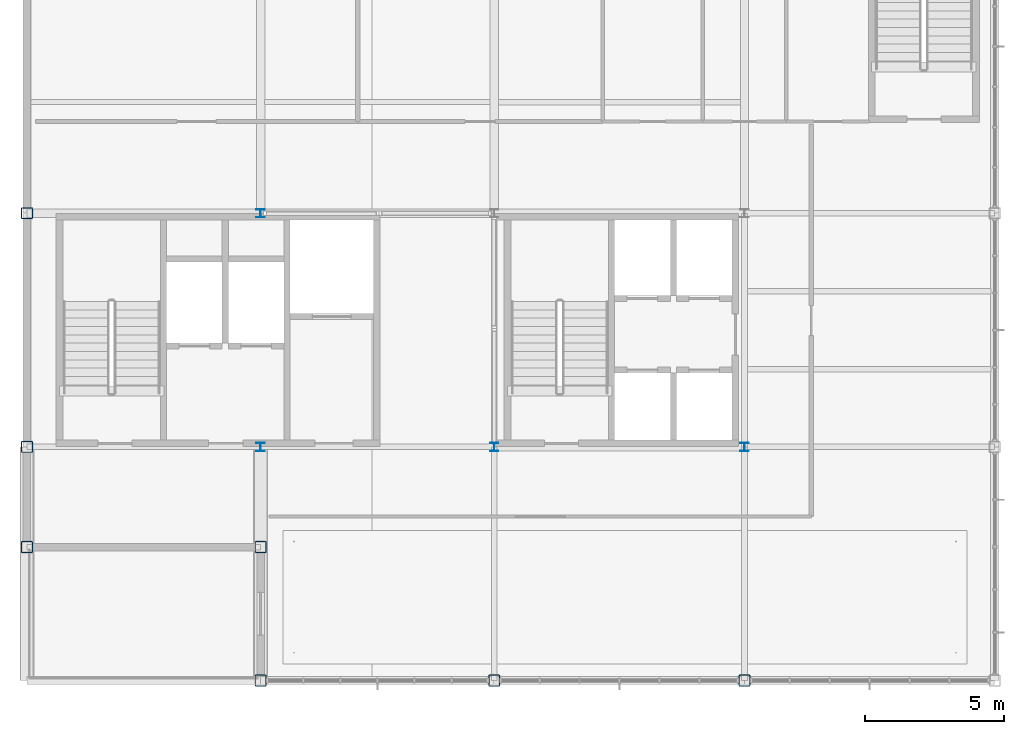
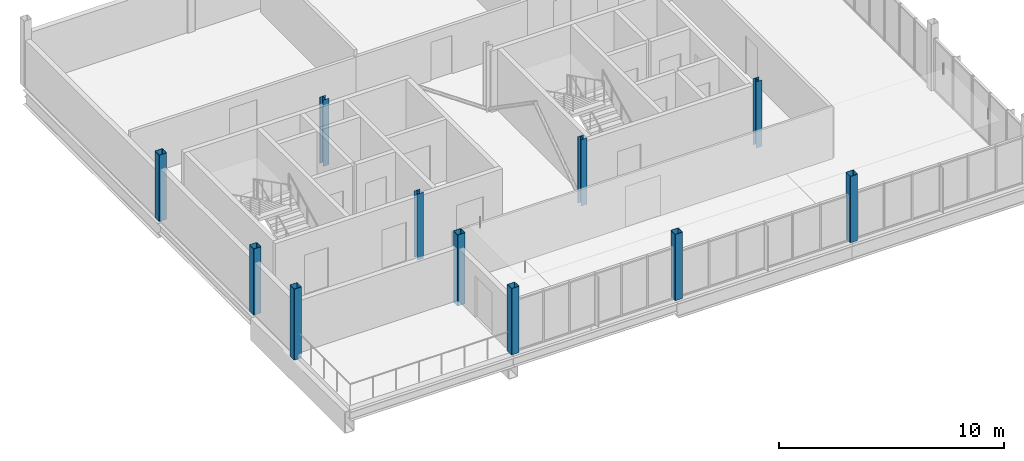
# One storey, part 1 of 17: 11 columns.
"""IFC4 building model written with IfcOpenShell, lengths in metres."""

from ifc_helpers import new_model, si_unit, direction, frame, origin, origin_2d, place, context, subcontext, project, spatial, hollow_rectangle, i_section, extrude, material, material_profile, profile_set, type_object, element, save


model = new_model("IFC4")

# Units and contexts
model_context = context("Model", 3, precision=1e-05, world=origin(), true_north=direction((0.0, 1.0)))
body_context = subcontext(model_context, "Body", "Model", "MODEL_VIEW")
ifc_project = project(units=[si_unit("LENGTHUNIT", "METRE"), si_unit("AREAUNIT", "SQUARE_METRE"), si_unit("VOLUMEUNIT", "CUBIC_METRE"), si_unit("PLANEANGLEUNIT", "RADIAN"), si_unit("MASSUNIT", "GRAM", prefix="KILO")], contexts=[model_context])

# Site, building, storey
site_placement = place(None, origin())
site = spatial("IfcSite", under=ifc_project, at=site_placement, CompositionType="ELEMENT")
building_placement = place(site_placement, origin())
building = spatial("IfcBuilding", under=site, at=building_placement, Name="Yukiwa Park Conservatory and Herbarium", CompositionType="ELEMENT")
storey_placement = place(building_placement, frame((0.0, 0.0, 57.60009765625)))
storey = spatial("IfcBuildingStorey", under=building, at=storey_placement, Name="L15", CompositionType="ELEMENT", Elevation=57.60009765625)

# Columns
ifc_material_1 = material(Name="Steel Q355D", Category="steel")
ifc_material_profile_1 = material_profile(ifc_material_1, hollow_rectangle(XDim=0.39990234375, YDim=0.39990234375, WallThickness=0.01611328125, InnerFilletRadius=0.01611328125, OuterFilletRadius=0.031982421875, at=origin_2d()), Name="BOX 400x400x16")
ifc_profile_set_1 = profile_set([ifc_material_profile_1], Name="Steel Q355D")
column_type_1 = type_object("IfcColumnType", Name="COL-TW-BOX400-EXT", PredefinedType="COLUMN", material=ifc_profile_set_1)
column_1_placement = place(storey_placement, frame((133.199951171875, 91.199951171875, -0.256103515625), z_axis=(0.0, 0.0, 1.0), x_axis=(1.0, 0.0, 0.0)))
element("IfcColumn", 1, at=column_1_placement, inside=storey, type_object=column_type_1, Name="L15 column V5-X1332-Y912", PredefinedType="COLUMN", context=body_context, shape_type="SweptSolid", body=[
    extrude(hollow_rectangle(XDim=0.39990234375, YDim=0.39990234375, WallThickness=0.01611328125, InnerFilletRadius=0.01611328125, OuterFilletRadius=0.031982421875, at=origin_2d()), origin(), (0.0, 0.0, 1.0), 3.85595703125),
])
for number, where, z_axis, x_axis, name in (
    (2, (133.199951171875, 94.800048828125, 0.0), (0.0, 0.0, 1.0), (1.0, 0.0, 0.0), "L15 column V5-X1332-Y948"),
    (3, (133.199951171875, 103.199951171875, 0.0), (0.0, 0.0, 1.0), (1.0, 0.0, 0.0), "L15 column V5-X1332-Y1032"),
    (4, (141.60009765625, 86.39990234375, 0.0), (0.0, 0.0, 1.0), (1.0, 0.0, 0.0), "L15 column V5-X1416-Y864"),
):
    element("IfcColumn", number, at=place(storey_placement, frame(where, z_axis=z_axis, x_axis=x_axis)), inside=storey, type_object=column_type_1, Name=name, PredefinedType="COLUMN", context=body_context, shape_type="SweptSolid", body=[
        extrude(hollow_rectangle(XDim=0.39990234375, YDim=0.39990234375, WallThickness=0.01611328125, InnerFilletRadius=0.01611328125, OuterFilletRadius=0.031982421875, at=origin_2d()), origin(), (0.0, 0.0, 1.0), 3.599853515625),
    ])
column_2_placement = place(storey_placement, frame((141.60009765625, 91.199951171875, -0.256103515625), z_axis=(0.0, 0.0, 1.0), x_axis=(1.0, 0.0, 0.0)))
element("IfcColumn", 5, at=column_2_placement, inside=storey, type_object=column_type_1, Name="L15 column V5-X1416-Y912", PredefinedType="COLUMN", context=body_context, shape_type="SweptSolid", body=[
    extrude(hollow_rectangle(XDim=0.39990234375, YDim=0.39990234375, WallThickness=0.01611328125, InnerFilletRadius=0.01611328125, OuterFilletRadius=0.031982421875, at=origin_2d()), origin(), (0.0, 0.0, 1.0), 3.85595703125),
])
for number, where, z_axis, x_axis, name in (
    (6, (150.0, 86.39990234375, 0.0), (0.0, 0.0, 1.0), (1.0, 0.0, 0.0), "L15 column V5-X1500-Y864"),
    (7, (159.0, 86.39990234375, 0.0), (0.0, 0.0, 1.0), (1.0, 0.0, 0.0), "L15 column V5-X1590-Y864"),
):
    element("IfcColumn", number, at=place(storey_placement, frame(where, z_axis=z_axis, x_axis=x_axis)), inside=storey, type_object=column_type_1, Name=name, PredefinedType="COLUMN", context=body_context, shape_type="SweptSolid", body=[
        extrude(hollow_rectangle(XDim=0.39990234375, YDim=0.39990234375, WallThickness=0.01611328125, InnerFilletRadius=0.01611328125, OuterFilletRadius=0.031982421875, at=origin_2d()), origin(), (0.0, 0.0, 1.0), 3.599853515625),
    ])
ifc_material_2 = material(Name="Steel Q355D", Category="steel")
ifc_material_profile_2 = material_profile(ifc_material_2, i_section(OverallWidth=0.302001953125, OverallDepth=0.2939453125, WebThickness=0.011962890625, FlangeThickness=0.011962890625, FilletRadius=0.01806640625, at=origin_2d()), Name="HW 294x302x12x12")
ifc_profile_set_2 = profile_set([ifc_material_profile_2], Name="Steel Q355D")
column_type_2 = type_object("IfcColumnType", Name="COL-TW-HW294", PredefinedType="COLUMN", material=ifc_profile_set_2)
for number, where, z_axis, x_axis, name in (
    (8, (141.60009765625, 94.800048828125, 0.0), (0.0, 0.0, 1.0), (1.0, 0.0, 0.0), "L15 column V5-X1416-Y948"),
    (9, (141.60009765625, 103.199951171875, 0.0), (0.0, 0.0, 1.0), (1.0, 0.0, 0.0), "L15 column V5-X1416-Y1032"),
    (10, (150.0, 94.800048828125, 0.0), (0.0, 0.0, 1.0), (1.0, 0.0, 0.0), "L15 column V5-X1500-Y948"),
    (11, (159.0, 94.800048828125, 0.0), (0.0, 0.0, 1.0), (1.0, 0.0, 0.0), "L15 column V5-X1590-Y948"),
):
    element("IfcColumn", number, at=place(storey_placement, frame(where, z_axis=z_axis, x_axis=x_axis)), inside=storey, type_object=column_type_2, Name=name, PredefinedType="COLUMN", context=body_context, shape_type="SweptSolid", body=[
        extrude(i_section(OverallWidth=0.302001953125, OverallDepth=0.2939453125, WebThickness=0.011962890625, FlangeThickness=0.011962890625, FilletRadius=0.01806640625, at=origin_2d()), origin(), (0.0, 0.0, 1.0), 3.599853515625),
    ])

save(model, "model.ifc")
